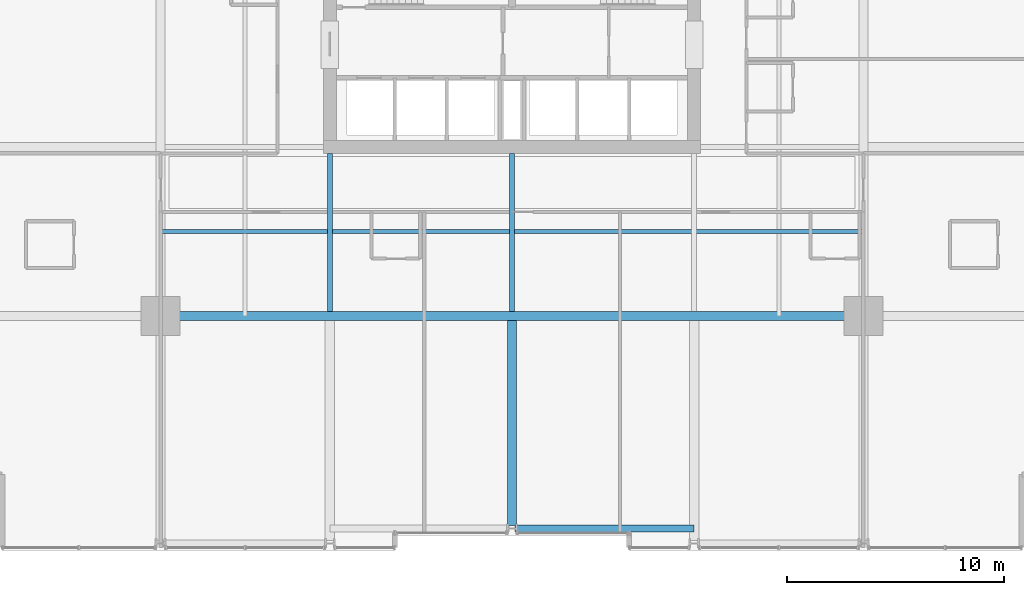
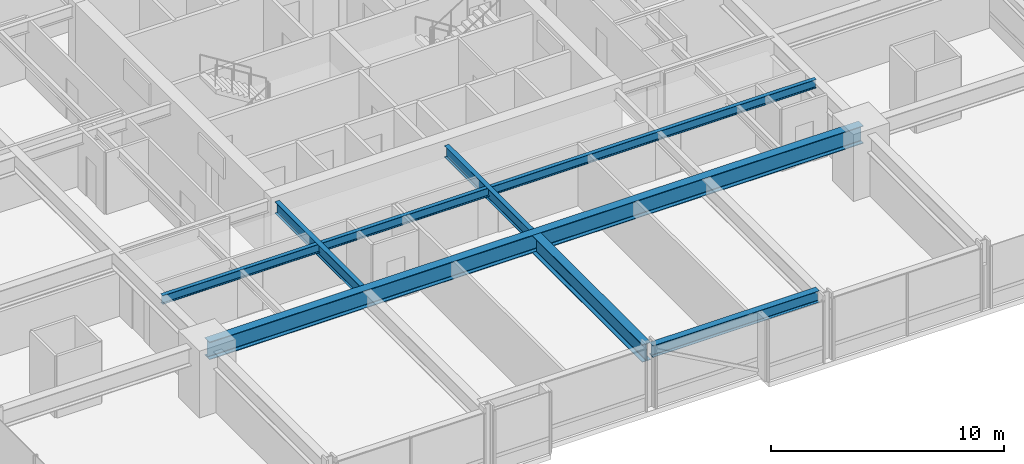
# One storey, part 6 of 37: 6 beams.
"""IFC4 building model written with IfcOpenShell, lengths in metres."""

from ifc_helpers import new_model, si_unit, direction, frame, origin, origin_2d, place, context, subcontext, project, spatial, i_section, extrude, material, material_profile, profile_set, type_object, element, save


model = new_model("IFC4")

# Units and contexts
model_context = context("Model", 3, precision=1e-05, world=origin(), true_north=direction((0.0, 1.0)))
body_context = subcontext(model_context, "Body", "Model", "MODEL_VIEW")
ifc_project = project(units=[si_unit("LENGTHUNIT", "METRE"), si_unit("AREAUNIT", "SQUARE_METRE"), si_unit("VOLUMEUNIT", "CUBIC_METRE"), si_unit("PLANEANGLEUNIT", "RADIAN"), si_unit("MASSUNIT", "GRAM", prefix="KILO")], contexts=[model_context])

# Site, building, storey
site_placement = place(None, origin())
site = spatial("IfcSite", under=ifc_project, at=site_placement, CompositionType="ELEMENT")
building_placement = place(site_placement, origin())
building = spatial("IfcBuilding", under=site, at=building_placement, Name="Drelvath Grand Hotel", CompositionType="ELEMENT")
storey_placement = place(building_placement, frame((0.0, 0.0, 43.699951171875)))
storey = spatial("IfcBuildingStorey", under=building, at=storey_placement, Name="L09", CompositionType="ELEMENT", Elevation=43.699951171875)

# Beams
ifc_material = material(Name="Steel ASTM A992 Gr 50", Category="steel")
ifc_material_profile_1 = material_profile(ifc_material, i_section(OverallWidth=0.19140625, OverallDepth=0.4599609375, WebThickness=0.010009765625, FlangeThickness=0.01611328125, FilletRadius=0.01611328125, at=origin_2d()), Name="W18X55")
ifc_profile_set_1 = profile_set([ifc_material_profile_1], Name="Steel ASTM A992 Gr 50")
beam_type_1 = type_object("IfcBeamType", Name="Composite Floor Joist W18X55", PredefinedType="JOIST", material=ifc_profile_set_1)
beam_1_placement = place(storey_placement, frame((-16.199951171875, 14.699951171875, 3.010009765625), z_axis=(1.0, 0.0, 0.0), x_axis=(0.0, 1.0, 0.0)))
element("IfcBeam", 1, at=beam_1_placement, inside=storey, type_object=beam_type_1, Name="L09 Floor Joist J1", PredefinedType="JOIST", context=body_context, shape_type="SweptSolid", body=[
    extrude(i_section(OverallWidth=0.19140625, OverallDepth=0.4599609375, WebThickness=0.010009765625, FlangeThickness=0.01611328125, FilletRadius=0.01611328125, at=origin_2d()), origin(), (0.0, 0.0, 1.0), 32.39990234375),
])
ifc_material_profile_2 = material_profile(ifc_material, i_section(OverallWidth=0.323974609375, OverallDepth=0.611083984375, WebThickness=0.0126953125, FlangeThickness=0.01904296875, FilletRadius=0.02197265625, at=origin_2d()), Name="W24X104")
ifc_profile_set_2 = profile_set([ifc_material_profile_2], Name="Steel ASTM A992 Gr 50")
beam_type_2 = type_object("IfcBeamType", Name="Perimeter Spandrel Beam W24X104", PredefinedType="SPANDREL", material=ifc_profile_set_2)
beam_2_placement = place(storey_placement, frame((0.139892578125, 1.0, 2.9345703125), z_axis=(1.0, 0.0, 0.0), x_axis=(0.0, 1.0, 0.0)))
element("IfcBeam", 2, at=beam_2_placement, inside=storey, type_object=beam_type_2, Name="L09 Spandrel South Mid E", PredefinedType="SPANDREL", context=body_context, shape_type="SweptSolid", body=[
    extrude(i_section(OverallWidth=0.323974609375, OverallDepth=0.611083984375, WebThickness=0.0126953125, FlangeThickness=0.01904296875, FilletRadius=0.02197265625, at=origin_2d()), origin(), (0.0, 0.0, 1.0), 8.260009765625),
])
ifc_material_profile_3 = material_profile(ifc_material, i_section(OverallWidth=0.228271484375, OverallDepth=0.607666015625, WebThickness=0.01123046875, FlangeThickness=0.017333984375, FilletRadius=0.02001953125, at=origin_2d()), Name="W24X76")
ifc_profile_set_3 = profile_set([ifc_material_profile_3], Name="Steel ASTM A992 Gr 50")
beam_type_3 = type_object("IfcBeamType", Name="Primary Floor Girder W24X76", PredefinedType="BEAM", material=ifc_profile_set_3)
for number, where, z_axis, x_axis, name in (
    (3, (-8.39990234375, 11.00927734375, 2.936279296875), (0.0, 1.0, 0.0), (-1.0, 0.0, 0.0), "L09 South Core Tie 4"),
    (4, (0.0, 11.00927734375, 2.936279296875), (0.0, 1.0, 0.0), (-1.0, 0.0, 0.0), "L09 South Core Tie 5"),
):
    element("IfcBeam", number, at=place(storey_placement, frame(where, z_axis=z_axis, x_axis=x_axis)), inside=storey, type_object=beam_type_3, Name=name, PredefinedType="BEAM", context=body_context, shape_type="SweptSolid", body=[
        extrude(i_section(OverallWidth=0.228271484375, OverallDepth=0.607666015625, WebThickness=0.01123046875, FlangeThickness=0.017333984375, FilletRadius=0.02001953125, at=origin_2d()), origin(), (0.0, 0.0, 1.0), 7.290771484375),
    ])
ifc_material_profile_4 = material_profile(ifc_material, i_section(OverallWidth=0.418212890625, OverallDepth=0.926513671875, WebThickness=0.019287109375, FlangeThickness=0.031982421875, FilletRadius=0.028076171875, at=origin_2d()), Name="W36X231")
ifc_profile_set_4 = profile_set([ifc_material_profile_4], Name="Steel ASTM A992 Gr 50")
beam_type_4 = type_object("IfcBeamType", Name="Primary Floor Girder W36X231", PredefinedType="BEAM", material=ifc_profile_set_4)
beam_3_placement = place(storey_placement, frame((-16.199951171875, 10.800048828125, 2.77685546875), z_axis=(1.0, 0.0, 0.0), x_axis=(0.0, 1.0, 0.0)))
element("IfcBeam", 5, at=beam_3_placement, inside=storey, type_object=beam_type_4, Name="L09 Mega Ring Girder South", PredefinedType="BEAM", context=body_context, shape_type="SweptSolid", body=[
    extrude(i_section(OverallWidth=0.418212890625, OverallDepth=0.926513671875, WebThickness=0.019287109375, FlangeThickness=0.031982421875, FilletRadius=0.028076171875, at=origin_2d()), origin(), (0.0, 0.0, 1.0), 32.39990234375),
])
beam_4_placement = place(storey_placement, frame((0.0, 1.139892578125, 2.77685546875), z_axis=(0.0, 1.0, 0.0), x_axis=(-1.0, 0.0, 0.0)))
element("IfcBeam", 6, at=beam_4_placement, inside=storey, type_object=beam_type_4, Name="L09 South Wing Girder 5", PredefinedType="BEAM", context=body_context, shape_type="SweptSolid", body=[
    extrude(i_section(OverallWidth=0.418212890625, OverallDepth=0.926513671875, WebThickness=0.019287109375, FlangeThickness=0.031982421875, FilletRadius=0.028076171875, at=origin_2d()), origin(), (0.0, 0.0, 1.0), 9.450927734375),
])

save(model, "model.ifc")
